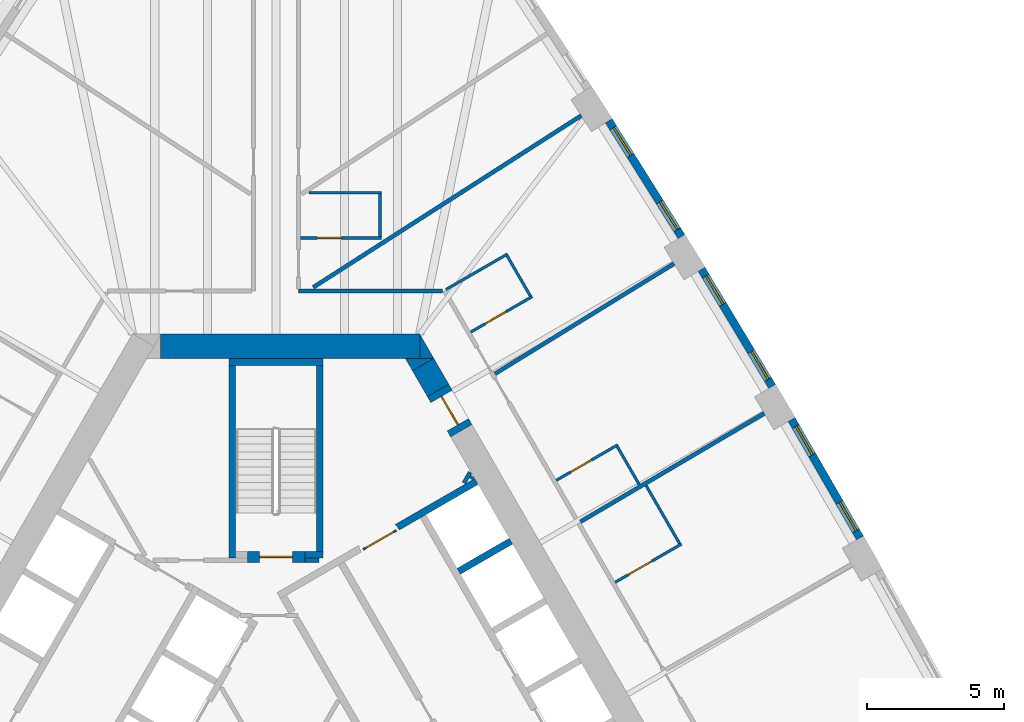
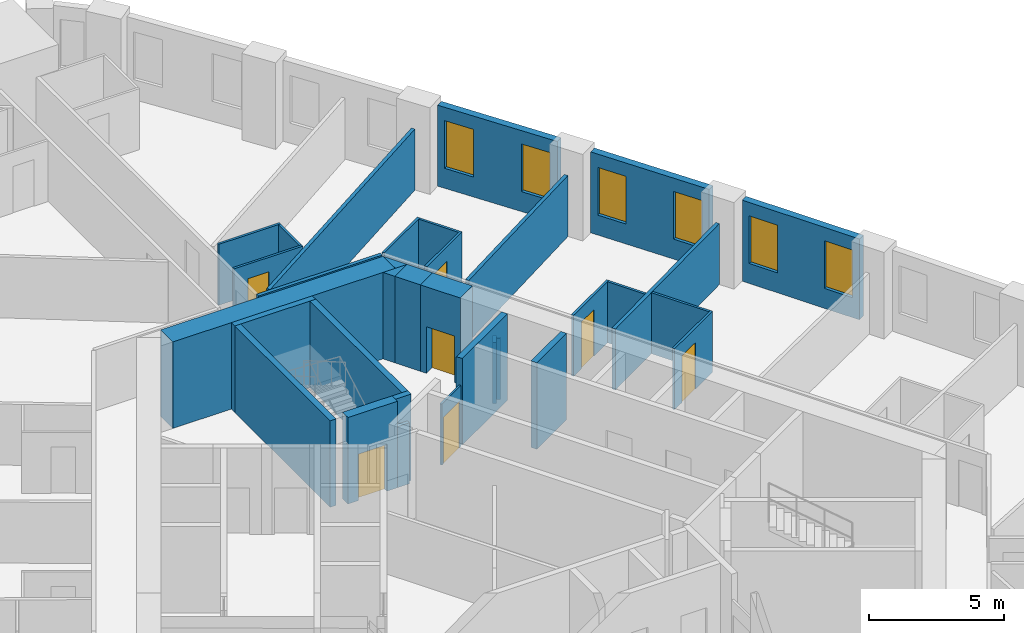
# One storey, part 10 of 12: 33 walls, 7 doors, 6 windows, 13 openings.
"""IFC4 building model written with IfcOpenShell, lengths in metres."""

from ifc_helpers import new_model, si_unit, direction, frame, frame_2d, origin, place, context, subcontext, project, spatial, polyline, rectangle, outline, extrude, material, layer, layer_set, type_object, element, fill, save


model = new_model("IFC4")

# Units and contexts
model_context = context("Model", 3, precision=1e-05, world=origin(), true_north=direction((0.0, 1.0)))
body_context = subcontext(model_context, "Body", "Model", "MODEL_VIEW")
ifc_project = project(units=[si_unit("LENGTHUNIT", "METRE"), si_unit("AREAUNIT", "SQUARE_METRE"), si_unit("VOLUMEUNIT", "CUBIC_METRE"), si_unit("PLANEANGLEUNIT", "RADIAN"), si_unit("MASSUNIT", "GRAM", prefix="KILO")], contexts=[model_context])

# Site, building, storey
site_placement = place(None, origin())
site = spatial("IfcSite", under=ifc_project, at=site_placement, CompositionType="ELEMENT")
building_placement = place(site_placement, origin())
building = spatial("IfcBuilding", under=site, at=building_placement, Name="Mestral Congress Tower", CompositionType="ELEMENT")
storey_placement = place(building_placement, frame((0.0, 0.0, 47.10009765625)))
storey = spatial("IfcBuildingStorey", under=building, at=storey_placement, Name="L10", CompositionType="ELEMENT", Elevation=47.10009765625)

# Walls
ifc_material_1 = material(Name="Fire-rated board partition")
ifc_layer_1 = layer(ifc_material_1, 0.14990234375)
ifc_layer_set_1 = layer_set([ifc_layer_1], Name="Fire-rated board partition")
wall_type_1 = type_object("IfcWallType", Name="Core partition 150", PredefinedType="PARTITIONING", material=ifc_layer_set_1)
wall_1_placement = place(storey_placement, frame((1.050048828125, 8.62548828125, 0.0), z_axis=(0.0, 0.0, 1.0), x_axis=(1.0, 0.0, 0.0)))
element("IfcWall", 1, at=wall_1_placement, inside=storey, type_object=wall_type_1, Name="L10 core wall", PredefinedType="PARTITIONING", context=body_context, shape_type="SweptSolid", body=[
    extrude(rectangle(XDim=0.513916015625, YDim=0.14990234375, at=frame_2d((0.2568359375, 0.0))), origin(), (0.0, 0.0, 1.0), 2.75),
])
wall_2_placement = place(storey_placement, frame((6.87158203125, 11.44970703125, 0.0), z_axis=(0.0, 0.0, 1.0), x_axis=(0.499846793097, 0.866113839764, 0.0)))
element("IfcWall", 2, at=wall_2_placement, inside=storey, type_object=wall_type_1, Name="L10 core wall", PredefinedType="PARTITIONING", context=body_context, shape_type="SweptSolid", body=[
    extrude(rectangle(XDim=0.453369140625, YDim=0.14990234375, at=frame_2d((0.2265625, 0.0))), origin(), (0.0, 0.0, 1.0), 2.75),
])
wall_3_placement = place(storey_placement, frame((7.13134765625, 11.599609375, 0.0), z_axis=(0.0, 0.0, 1.0), x_axis=(0.498600033135, 0.866832167699, 0.0)))
element("IfcWall", 3, at=wall_3_placement, inside=storey, type_object=wall_type_1, Name="L10 core wall", PredefinedType="PARTITIONING", context=body_context, shape_type="SweptSolid", body=[
    extrude(rectangle(XDim=0.106689453125, YDim=0.14990234375, at=frame_2d((0.05322265625, 0.0))), origin(), (0.0, 0.0, 1.0), 2.75),
])

# Wall, opening, door
ifc_layer_2 = layer(ifc_material_1, 0.090087890625)
ifc_layer_set_2 = layer_set([ifc_layer_2], Name="Fire-rated board partition")
wall_type_2 = type_object("IfcWallType", Name="Core partition 150 door-wall 90", PredefinedType="PARTITIONING", material=ifc_layer_set_2)
wall_4_placement = place(storey_placement, frame((3.182861328125, 9.02001953125, 0.0), z_axis=(0.0, 0.0, 1.0), x_axis=(0.866034573852, 0.49998411664, 0.0)))
wall_4 = element("IfcWall", 4, at=wall_4_placement, inside=storey, type_object=wall_type_2, Name="L10 door wall", PredefinedType="PARTITIONING", context=body_context, shape_type="SweptSolid", body=[
    extrude(rectangle(XDim=1.39990234375, YDim=0.090087890625, at=frame_2d((0.699951171875, 0.0))), origin(), (0.0, 0.0, 1.0), 2.75),
])
opening_1_placement = place(wall_4_placement, frame((0.10009765625, 0.0, 0.0)))
opening_1 = element("IfcOpeningElement", 5, at=opening_1_placement, cuts=wall_4, Name="Opening LB1-WL2", PredefinedType="OPENING", context=body_context, shape_type="SweptSolid", body=[
    extrude(rectangle(XDim=1.199951171875, YDim=2.10009765625, at=frame_2d((0.60009765625, 1.050048828125))), frame((0.0, 0.054931640625, 0.0), z_axis=(0.0, -1.0, 0.0), x_axis=(1.0, 0.0, 0.0)), (0.0, 0.0, 1.0), 0.110107421875),
])
ifc_material_2 = material(Name="Fire-rated steel door set", Category="steel")
door_type_1 = type_object("IfcDoorType", Name="Core door LB 1200x2100", OperationType="SINGLE_SWING_LEFT", PredefinedType="DOOR", material=ifc_material_2)
door_1_placement = place(opening_1_placement, origin())
door_1 = element("IfcDoor", 6, at=door_1_placement, inside=storey, type_object=door_type_1, Name="Door LB1-WL2", OperationType="SINGLE_SWING_LEFT", OverallHeight=2.10009765625, OverallWidth=1.199951171875, PredefinedType="DOOR", context=body_context, shape_type="SweptSolid", body=[
    extrude(rectangle(XDim=1.199951171875, YDim=2.10009765625, at=frame_2d((0.60009765625, 1.050048828125))), frame((0.0, 0.02490234375, 0.0), z_axis=(0.0, -1.0, 0.0), x_axis=(1.0, 0.0, 0.0)), (0.0, 0.0, 1.0), 0.050048828125),
])
fill(opening_1, door_1)

# Walls
ifc_material_3 = material(Name="Concrete C60/75", Category="concrete")
ifc_layer_3 = layer(ifc_material_3, 0.89990234375)
ifc_layer_set_3 = layer_set([ifc_layer_3], Name="Concrete C60/75")
wall_type_3 = type_object("IfcWallType", Name="Core wall RC 900", PredefinedType="SOLIDWALL", material=ifc_layer_set_3)
wall_5_placement = place(storey_placement, frame((-4.224365234375, 16.449951171875, 0.0), z_axis=(0.0, 0.0, 1.0), x_axis=(1.0, 0.0, 0.0)))
element("IfcWall", 7, at=wall_5_placement, inside=storey, type_object=wall_type_3, Name="L10 core wall", PredefinedType="SOLIDWALL", context=body_context, shape_type="SweptSolid", body=[
    extrude(rectangle(XDim=9.48779296875, YDim=0.89990234375, at=frame_2d((4.743896484375, 0.0))), origin(), (0.0, 0.0, 1.0), 3.89990234375),
])
placement = place(storey_placement, origin())
element("IfcWall", 8, at=placement, inside=storey, type_object=wall_type_3, Name="L10 core wall", PredefinedType="SOLIDWALL", context=body_context, shape_type="SweptSolid", body=[
    extrude(outline(polyline([(5.265380859375, 16.0), (5.265380859375, 16.8798828125), (5.7734375, 16.0), (5.265380859375, 16.0)])), origin(), (0.0, 0.0, 1.0), 3.89990234375),
])
wall_7_placement = place(storey_placement, frame((5.92578125, 14.836181640625, 0.0), z_axis=(0.0, 0.0, 1.0), x_axis=(-0.500076735116, 0.865981096212, 0.0)))
element("IfcWall", 9, at=wall_7_placement, inside=storey, type_object=wall_type_3, Name="L10 core wall", PredefinedType="SOLIDWALL", context=body_context, shape_type="SweptSolid", body=[
    extrude(rectangle(XDim=1.093505859375, YDim=0.89990234375, at=frame_2d((0.546875, 0.0))), origin(), (0.0, 0.0, 1.0), 3.89990234375),
])
element("IfcWall", 10, at=placement, inside=storey, type_object=wall_type_3, Name="L10 core wall", PredefinedType="SOLIDWALL", context=body_context, shape_type="SweptSolid", body=[
    extrude(outline(polyline([(4.734375, 16.0), (5.750244140625, 16.0), (4.98828125, 15.56005859375), (4.734375, 16.0)])), origin(), (0.0, 0.0, 1.0), 3.89990234375),
])

# Wall, opening, door
wall_9_placement = place(storey_placement, frame((5.92578125, 14.836181640625, 0.0), z_axis=(0.0, 0.0, 1.0), x_axis=(0.500062241894, -0.865989465428, 0.0)))
wall_9 = element("IfcWall", 11, at=wall_9_placement, inside=storey, type_object=wall_type_3, Name="L10 door wall", PredefinedType="SOLIDWALL", context=body_context, shape_type="SweptSolid", body=[
    extrude(rectangle(XDim=1.699951171875, YDim=0.89990234375, at=frame_2d((0.85009765625, 0.0))), origin(), (0.0, 0.0, 1.0), 3.89990234375),
])
opening_2_placement = place(wall_9_placement, frame((0.25, 0.0, 0.0)))
opening_2 = element("IfcOpeningElement", 12, at=opening_2_placement, cuts=wall_9, Name="Opening XD2", PredefinedType="OPENING", context=body_context, shape_type="SweptSolid", body=[
    extrude(rectangle(XDim=1.199951171875, YDim=2.10009765625, at=frame_2d((0.60009765625, 1.050048828125))), frame((0.0, 0.4599609375, 0.0), z_axis=(0.0, -1.0, 0.0), x_axis=(1.0, 0.0, 0.0)), (0.0, 0.0, 1.0), 0.919921875),
])
door_type_2 = type_object("IfcDoorType", Name="Core door XD 1200x2100", OperationType="SINGLE_SWING_LEFT", PredefinedType="DOOR", material=ifc_material_2)
door_2_placement = place(opening_2_placement, origin())
door_2 = element("IfcDoor", 13, at=door_2_placement, inside=storey, type_object=door_type_2, Name="Door XD2", OperationType="SINGLE_SWING_LEFT", OverallHeight=2.10009765625, OverallWidth=1.199951171875, PredefinedType="DOOR", context=body_context, shape_type="SweptSolid", body=[
    extrude(rectangle(XDim=1.199951171875, YDim=2.10009765625, at=frame_2d((0.60009765625, 1.050048828125))), frame((0.0, 0.02490234375, 0.0), z_axis=(0.0, -1.0, 0.0), x_axis=(1.0, 0.0, 0.0)), (0.0, 0.0, 1.0), 0.050048828125),
])
fill(opening_2, door_2)

# Wall, openings, windows
ifc_material_4 = material(Name="Precast concrete C40/50 with limestone facing", Category="masonry")
ifc_layer_4 = layer(ifc_material_4, 0.2900390625)
ifc_layer_set_4 = layer_set([ifc_layer_4], Name="Precast concrete C40/50 with limestone facing")
wall_type_4 = type_object("IfcWallType", Name="Facade stone wall 290", PredefinedType="SOLIDWALL", material=ifc_layer_set_4)
wall_10_placement = place(storey_placement, frame((21.357177734375, 9.44482421875, 0.0), z_axis=(0.0, 0.0, 1.0), x_axis=(-0.50002123722, 0.866013142123, 0.0)))
wall_10 = element("IfcWall", 14, at=wall_10_placement, inside=storey, type_object=wall_type_4, Name="Facade wall F1-04", PredefinedType="SOLIDWALL", context=body_context, shape_type="SweptSolid", body=[
    extrude(rectangle(XDim=4.998291015625, YDim=0.2900390625, at=frame_2d((2.4990234375, 0.0))), origin(), (0.0, 0.0, 1.0), 3.64990234375),
])
opening_3_placement = place(wall_10_placement, frame((0.297119140625, 0.0, 0.89990234375)))
opening_3 = element("IfcOpeningElement", 15, at=opening_3_placement, cuts=wall_10, Name="Opening W1", PredefinedType="OPENING", context=body_context, shape_type="SweptSolid", body=[
    extrude(rectangle(XDim=1.199951171875, YDim=2.14990234375, at=frame_2d((0.60009765625, 1.074951171875))), frame((0.0, 0.155029296875, 0.0), z_axis=(0.0, -1.0, 0.0), x_axis=(1.0, 0.0, 0.0)), (0.0, 0.0, 1.0), 0.31005859375),
])
opening_4_placement = place(wall_10_placement, frame((3.501220703125, 0.0, 0.89990234375)))
opening_4 = element("IfcOpeningElement", 16, at=opening_4_placement, cuts=wall_10, Name="Opening W1", PredefinedType="OPENING", context=body_context, shape_type="SweptSolid", body=[
    extrude(rectangle(XDim=1.199951171875, YDim=2.14990234375, at=frame_2d((0.60009765625, 1.074951171875))), frame((0.0, 0.155029296875, 0.0), z_axis=(0.0, -1.0, 0.0), x_axis=(1.0, 0.0, 0.0)), (0.0, 0.0, 1.0), 0.31005859375),
])
ifc_material_5 = material(Name="Clear low-emissivity double glazing", Category="glass")
window_type = type_object("IfcWindowType", Name="Facade punched window 1200 x 2150 sill 900", PartitioningType="DOUBLE_PANEL_VERTICAL", PredefinedType="WINDOW", material=ifc_material_5)
window_1_placement = place(opening_3_placement, origin())
window_1 = element("IfcWindow", 17, at=window_1_placement, inside=storey, type_object=window_type, Name="Window F1-04a", OverallHeight=2.14990234375, OverallWidth=1.199951171875, PartitioningType="DOUBLE_PANEL_VERTICAL", PredefinedType="WINDOW", context=body_context, shape_type="SweptSolid", body=[
    extrude(rectangle(XDim=1.199951171875, YDim=2.14990234375, at=frame_2d((0.60009765625, 1.074951171875))), frame((0.0, 0.01513671875, 0.0), z_axis=(0.0, -1.0, 0.0), x_axis=(1.0, 0.0, 0.0)), (0.0, 0.0, 1.0), 0.06005859375),
])
fill(opening_3, window_1)
window_2_placement = place(opening_4_placement, origin())
window_2 = element("IfcWindow", 18, at=window_2_placement, inside=storey, type_object=window_type, Name="Window F1-04b", OverallHeight=2.14990234375, OverallWidth=1.199951171875, PartitioningType="DOUBLE_PANEL_VERTICAL", PredefinedType="WINDOW", context=body_context, shape_type="SweptSolid", body=[
    extrude(rectangle(XDim=1.199951171875, YDim=2.14990234375, at=frame_2d((0.60009765625, 1.074951171875))), frame((0.0, 0.01513671875, 0.0), z_axis=(0.0, -1.0, 0.0), x_axis=(1.0, 0.0, 0.0)), (0.0, 0.0, 1.0), 0.06005859375),
])
fill(opening_4, window_2)

wall_11_placement = place(storey_placement, frame((18.143310546875, 14.985595703125, 0.0), z_axis=(0.0, 0.0, 1.0), x_axis=(-0.515938796285, 0.856625448191, 0.0)))
wall_11 = element("IfcWall", 19, at=wall_11_placement, inside=storey, type_object=wall_type_4, Name="Facade wall F1-05", PredefinedType="SOLIDWALL", context=body_context, shape_type="SweptSolid", body=[
    extrude(rectangle(XDim=4.998291015625, YDim=0.2900390625, at=frame_2d((2.4990234375, 0.0))), origin(), (0.0, 0.0, 1.0), 3.64990234375),
])
opening_5_placement = place(wall_11_placement, frame((0.297119140625, 0.0, 0.89990234375)))
opening_5 = element("IfcOpeningElement", 20, at=opening_5_placement, cuts=wall_11, Name="Opening W1", PredefinedType="OPENING", context=body_context, shape_type="SweptSolid", body=[
    extrude(rectangle(XDim=1.199951171875, YDim=2.14990234375, at=frame_2d((0.60009765625, 1.074951171875))), frame((0.0, 0.155029296875, 0.0), z_axis=(0.0, -1.0, 0.0), x_axis=(1.0, 0.0, 0.0)), (0.0, 0.0, 1.0), 0.31005859375),
])
opening_6_placement = place(wall_11_placement, frame((3.501220703125, 0.0, 0.89990234375)))
opening_6 = element("IfcOpeningElement", 21, at=opening_6_placement, cuts=wall_11, Name="Opening W1", PredefinedType="OPENING", context=body_context, shape_type="SweptSolid", body=[
    extrude(rectangle(XDim=1.199951171875, YDim=2.14990234375, at=frame_2d((0.60009765625, 1.074951171875))), frame((0.0, 0.155029296875, 0.0), z_axis=(0.0, -1.0, 0.0), x_axis=(1.0, 0.0, 0.0)), (0.0, 0.0, 1.0), 0.31005859375),
])
window_3_placement = place(opening_5_placement, origin())
window_3 = element("IfcWindow", 22, at=window_3_placement, inside=storey, type_object=window_type, Name="Window F1-05a", OverallHeight=2.14990234375, OverallWidth=1.199951171875, PartitioningType="DOUBLE_PANEL_VERTICAL", PredefinedType="WINDOW", context=body_context, shape_type="SweptSolid", body=[
    extrude(rectangle(XDim=1.199951171875, YDim=2.14990234375, at=frame_2d((0.60009765625, 1.074951171875))), frame((0.0, 0.01513671875, 0.0), z_axis=(0.0, -1.0, 0.0), x_axis=(1.0, 0.0, 0.0)), (0.0, 0.0, 1.0), 0.06005859375),
])
fill(opening_5, window_3)
window_4_placement = place(opening_6_placement, origin())
window_4 = element("IfcWindow", 23, at=window_4_placement, inside=storey, type_object=window_type, Name="Window F1-05b", OverallHeight=2.14990234375, OverallWidth=1.199951171875, PartitioningType="DOUBLE_PANEL_VERTICAL", PredefinedType="WINDOW", context=body_context, shape_type="SweptSolid", body=[
    extrude(rectangle(XDim=1.199951171875, YDim=2.14990234375, at=frame_2d((0.60009765625, 1.074951171875))), frame((0.0, 0.01513671875, 0.0), z_axis=(0.0, -1.0, 0.0), x_axis=(1.0, 0.0, 0.0)), (0.0, 0.0, 1.0), 0.06005859375),
])
fill(opening_6, window_4)

wall_12_placement = place(storey_placement, frame((14.827392578125, 20.466064453125, 0.0), z_axis=(0.0, 0.0, 1.0), x_axis=(-0.531688286542, 0.846940119462, 0.0)))
wall_12 = element("IfcWall", 24, at=wall_12_placement, inside=storey, type_object=wall_type_4, Name="Facade wall F1-06", PredefinedType="SOLIDWALL", context=body_context, shape_type="SweptSolid", body=[
    extrude(rectangle(XDim=4.998291015625, YDim=0.2900390625, at=frame_2d((2.4990234375, 0.0))), origin(), (0.0, 0.0, 1.0), 3.64990234375),
])
opening_7_placement = place(wall_12_placement, frame((0.297119140625, 0.0, 0.89990234375)))
opening_7 = element("IfcOpeningElement", 25, at=opening_7_placement, cuts=wall_12, Name="Opening W1", PredefinedType="OPENING", context=body_context, shape_type="SweptSolid", body=[
    extrude(rectangle(XDim=1.199951171875, YDim=2.14990234375, at=frame_2d((0.60009765625, 1.074951171875))), frame((0.0, 0.155029296875, 0.0), z_axis=(0.0, -1.0, 0.0), x_axis=(1.0, 0.0, 0.0)), (0.0, 0.0, 1.0), 0.31005859375),
])
opening_8_placement = place(wall_12_placement, frame((3.501220703125, 0.0, 0.89990234375)))
opening_8 = element("IfcOpeningElement", 26, at=opening_8_placement, cuts=wall_12, Name="Opening W1", PredefinedType="OPENING", context=body_context, shape_type="SweptSolid", body=[
    extrude(rectangle(XDim=1.199951171875, YDim=2.14990234375, at=frame_2d((0.60009765625, 1.074951171875))), frame((0.0, 0.155029296875, 0.0), z_axis=(0.0, -1.0, 0.0), x_axis=(1.0, 0.0, 0.0)), (0.0, 0.0, 1.0), 0.31005859375),
])
window_5_placement = place(opening_7_placement, origin())
window_5 = element("IfcWindow", 27, at=window_5_placement, inside=storey, type_object=window_type, Name="Window F1-06a", OverallHeight=2.14990234375, OverallWidth=1.199951171875, PartitioningType="DOUBLE_PANEL_VERTICAL", PredefinedType="WINDOW", context=body_context, shape_type="SweptSolid", body=[
    extrude(rectangle(XDim=1.199951171875, YDim=2.14990234375, at=frame_2d((0.60009765625, 1.074951171875))), frame((0.0, 0.01513671875, 0.0), z_axis=(0.0, -1.0, 0.0), x_axis=(1.0, 0.0, 0.0)), (0.0, 0.0, 1.0), 0.06005859375),
])
fill(opening_7, window_5)
window_6_placement = place(opening_8_placement, origin())
window_6 = element("IfcWindow", 28, at=window_6_placement, inside=storey, type_object=window_type, Name="Window F1-06b", OverallHeight=2.14990234375, OverallWidth=1.199951171875, PartitioningType="DOUBLE_PANEL_VERTICAL", PredefinedType="WINDOW", context=body_context, shape_type="SweptSolid", body=[
    extrude(rectangle(XDim=1.199951171875, YDim=2.14990234375, at=frame_2d((0.60009765625, 1.074951171875))), frame((0.0, 0.01513671875, 0.0), z_axis=(0.0, -1.0, 0.0), x_axis=(1.0, 0.0, 0.0)), (0.0, 0.0, 1.0), 0.06005859375),
])
fill(opening_8, window_6)

# Wall, opening, door
ifc_material_6 = material(Name="Gypsum board partition on metal studs with mineral wool", Category="composite")
ifc_layer_5 = layer(ifc_material_6, 0.10009765625)
ifc_layer_set_5 = layer_set([ifc_layer_5], Name="Gypsum board partition on metal studs with mineral wool")
wall_type_5 = type_object("IfcWallType", Name="Hotel partition wall 100", PredefinedType="PARTITIONING", material=ifc_layer_set_5)
wall_13_placement = place(storey_placement, frame((12.402099609375, 7.819091796875, 0.0), z_axis=(0.0, 0.0, 1.0), x_axis=(0.866034573852, 0.49998411664, 0.0)))
wall_13 = element("IfcWall", 29, at=wall_13_placement, inside=storey, type_object=wall_type_5, Name="L10-h-pod14a", PredefinedType="PARTITIONING", context=body_context, shape_type="SweptSolid", body=[
    extrude(rectangle(XDim=2.7998046875, YDim=0.10009765625, at=frame_2d((1.39990234375, 0.0))), origin(), (0.0, 0.0, 1.0), 2.75),
])
opening_9_placement = place(wall_13_placement, frame((0.550048828125, 0.0, 0.0)))
opening_9 = element("IfcOpeningElement", 30, at=opening_9_placement, cuts=wall_13, Name="Opening H02-021", PredefinedType="OPENING", context=body_context, shape_type="SweptSolid", body=[
    extrude(rectangle(XDim=1.0, YDim=2.10009765625, at=frame_2d((0.5, 1.050048828125))), frame((0.0, 0.06005859375, 0.0), z_axis=(0.0, -1.0, 0.0), x_axis=(1.0, 0.0, 0.0)), (0.0, 0.0, 1.0), 0.1201171875),
])
ifc_material_7 = material(Name="Timber veneer door leaf in timber frame", Category="wood")
door_type_3 = type_object("IfcDoorType", Name="Accessible bathroom door 1000", OperationType="SINGLE_SWING_LEFT", PredefinedType="DOOR", material=ifc_material_7)
door_3_placement = place(opening_9_placement, origin())
door_3 = element("IfcDoor", 31, at=door_3_placement, inside=storey, type_object=door_type_3, Name="L10-h-d021", OperationType="SINGLE_SWING_LEFT", OverallHeight=2.10009765625, OverallWidth=1.0, PredefinedType="DOOR", context=body_context, shape_type="SweptSolid", body=[
    extrude(rectangle(XDim=1.0, YDim=2.10009765625, at=frame_2d((0.5, 1.050048828125))), frame((0.0, 0.02490234375, 0.0), z_axis=(0.0, -1.0, 0.0), x_axis=(1.0, 0.0, 0.0)), (0.0, 0.0, 1.0), 0.050048828125),
])
fill(opening_9, door_3)

# Wall
wall_14_placement = place(storey_placement, frame((14.758544921875, 9.2373046875, 0.0), z_axis=(0.0, 0.0, 1.0), x_axis=(-0.499943856944, 0.866057815567, 0.0)))
element("IfcWall", 32, at=wall_14_placement, inside=storey, type_object=wall_type_5, Name="L10-h-pod14b", PredefinedType="PARTITIONING", context=body_context, shape_type="SweptSolid", body=[
    extrude(rectangle(XDim=2.449951171875, YDim=0.10009765625, at=frame_2d((1.22509765625, 0.0))), origin(), (0.0, 0.0, 1.0), 2.75),
])

# Wall, opening, door
wall_15_placement = place(storey_placement, frame((12.500244140625, 12.84912109375, 0.0), z_axis=(0.0, 0.0, 1.0), x_axis=(-0.866021400173, -0.500006934395, 0.0)))
wall_15 = element("IfcWall", 33, at=wall_15_placement, inside=storey, type_object=wall_type_5, Name="L10-h-pod15a", PredefinedType="PARTITIONING", context=body_context, shape_type="SweptSolid", body=[
    extrude(rectangle(XDim=2.60009765625, YDim=0.10009765625, at=frame_2d((1.300048828125, 0.0))), origin(), (0.0, 0.0, 1.0), 2.75),
])
opening_10_placement = place(wall_15_placement, frame((1.10009765625, 0.0, 0.0)))
opening_10 = element("IfcOpeningElement", 34, at=opening_10_placement, cuts=wall_15, Name="Opening H02-023", PredefinedType="OPENING", context=body_context, shape_type="SweptSolid", body=[
    extrude(rectangle(XDim=0.89990234375, YDim=2.10009765625, at=frame_2d((0.449951171875, 1.050048828125))), frame((0.0, 0.06005859375, 0.0), z_axis=(0.0, -1.0, 0.0), x_axis=(1.0, 0.0, 0.0)), (0.0, 0.0, 1.0), 0.1201171875),
])
door_type_4 = type_object("IfcDoorType", Name="Bathroom door 900", OperationType="SINGLE_SWING_LEFT", PredefinedType="DOOR", material=ifc_material_7)
door_4_placement = place(opening_10_placement, origin())
door_4 = element("IfcDoor", 35, at=door_4_placement, inside=storey, type_object=door_type_4, Name="L10-h-d023", OperationType="SINGLE_SWING_RIGHT", OverallHeight=2.10009765625, OverallWidth=0.89990234375, PredefinedType="DOOR", context=body_context, shape_type="SweptSolid", body=[
    extrude(rectangle(XDim=0.89990234375, YDim=2.10009765625, at=frame_2d((0.449951171875, 1.050048828125))), frame((0.0, 0.02490234375, 0.0), z_axis=(0.0, -1.0, 0.0), x_axis=(1.0, 0.0, 0.0)), (0.0, 0.0, 1.0), 0.050048828125),
])
fill(opening_10, door_4)

# Wall
wall_16_placement = place(storey_placement, frame((12.48193359375, 12.78076171875, 0.0), z_axis=(0.0, 0.0, 1.0), x_axis=(0.500061482766, -0.865989903783, 0.0)))
element("IfcWall", 36, at=wall_16_placement, inside=storey, type_object=wall_type_5, Name="L10-h-pod15b", PredefinedType="PARTITIONING", context=body_context, shape_type="SweptSolid", body=[
    extrude(rectangle(XDim=1.599853515625, YDim=0.10009765625, at=frame_2d((0.7998046875, 0.0))), origin(), (0.0, 0.0, 1.0), 2.75),
])

# Wall, opening, door
wall_17_placement = place(storey_placement, frame((7.1181640625, 16.970947265625, 0.0), z_axis=(0.0, 0.0, 1.0), x_axis=(0.866021400173, 0.500006934395, 0.0)))
wall_17 = element("IfcWall", 37, at=wall_17_placement, inside=storey, type_object=wall_type_5, Name="L10-h-pod16a", PredefinedType="PARTITIONING", context=body_context, shape_type="SweptSolid", body=[
    extrude(rectangle(XDim=2.60009765625, YDim=0.10009765625, at=frame_2d((1.300048828125, 0.0))), origin(), (0.0, 0.0, 1.0), 2.75),
])
opening_11_placement = place(wall_17_placement, frame((0.60009765625, 0.0, 0.0)))
opening_11 = element("IfcOpeningElement", 38, at=opening_11_placement, cuts=wall_17, Name="Opening H02-025", PredefinedType="OPENING", context=body_context, shape_type="SweptSolid", body=[
    extrude(rectangle(XDim=0.89990234375, YDim=2.10009765625, at=frame_2d((0.449951171875, 1.050048828125))), frame((0.0, 0.06005859375, 0.0), z_axis=(0.0, -1.0, 0.0), x_axis=(1.0, 0.0, 0.0)), (0.0, 0.0, 1.0), 0.1201171875),
])
door_5_placement = place(opening_11_placement, origin())
door_5 = element("IfcDoor", 39, at=door_5_placement, inside=storey, type_object=door_type_4, Name="L10-h-d025", OperationType="SINGLE_SWING_LEFT", OverallHeight=2.10009765625, OverallWidth=0.89990234375, PredefinedType="DOOR", context=body_context, shape_type="SweptSolid", body=[
    extrude(rectangle(XDim=0.89990234375, YDim=2.10009765625, at=frame_2d((0.449951171875, 1.050048828125))), frame((0.0, 0.02490234375, 0.0), z_axis=(0.0, -1.0, 0.0), x_axis=(1.0, 0.0, 0.0)), (0.0, 0.0, 1.0), 0.050048828125),
])
fill(opening_11, door_5)

# Walls
wall_18_placement = place(storey_placement, frame((9.301513671875, 18.289306640625, 0.0), z_axis=(0.0, 0.0, 1.0), x_axis=(-0.500062241894, 0.865989465428, 0.0)))
element("IfcWall", 40, at=wall_18_placement, inside=storey, type_object=wall_type_5, Name="L10-h-pod16b", PredefinedType="PARTITIONING", context=body_context, shape_type="SweptSolid", body=[
    extrude(rectangle(XDim=1.699951171875, YDim=0.10009765625, at=frame_2d((0.85009765625, 0.0))), origin(), (0.0, 0.0, 1.0), 2.75),
])
wall_19_placement = place(storey_placement, frame((6.21826171875, 18.52978515625, 0.0), z_axis=(0.0, 0.0, 1.0), x_axis=(0.865997922154, 0.500047596559, 0.0)))
element("IfcWall", 41, at=wall_19_placement, inside=storey, type_object=wall_type_5, Name="L10-h-pod16c", PredefinedType="PARTITIONING", context=body_context, shape_type="SweptSolid", body=[
    extrude(rectangle(XDim=2.599853515625, YDim=0.10009765625, at=frame_2d((1.2998046875, 0.0))), origin(), (0.0, 0.0, 1.0), 2.75),
])

# Wall, opening, door
wall_20_placement = place(storey_placement, frame((0.89990234375, 20.41552734375, 0.0), z_axis=(0.0, 0.0, 1.0), x_axis=(1.0, 0.0, 0.0)))
wall_20 = element("IfcWall", 42, at=wall_20_placement, inside=storey, type_object=wall_type_5, Name="L10-h-pod17a", PredefinedType="PARTITIONING", context=body_context, shape_type="SweptSolid", body=[
    extrude(rectangle(XDim=2.9501953125, YDim=0.10009765625, at=frame_2d((1.47509765625, 0.0))), origin(), (0.0, 0.0, 1.0), 2.75),
])
opening_12_placement = place(wall_20_placement, frame((0.60009765625, 0.0, 0.0)))
opening_12 = element("IfcOpeningElement", 43, at=opening_12_placement, cuts=wall_20, Name="Opening H02-027", PredefinedType="OPENING", context=body_context, shape_type="SweptSolid", body=[
    extrude(rectangle(XDim=0.89990234375, YDim=2.10009765625, at=frame_2d((0.449951171875, 1.050048828125))), frame((0.0, 0.06005859375, 0.0), z_axis=(0.0, -1.0, 0.0), x_axis=(1.0, 0.0, 0.0)), (0.0, 0.0, 1.0), 0.1201171875),
])
door_6_placement = place(opening_12_placement, origin())
door_6 = element("IfcDoor", 44, at=door_6_placement, inside=storey, type_object=door_type_4, Name="L10-h-d027", OperationType="SINGLE_SWING_LEFT", OverallHeight=2.10009765625, OverallWidth=0.89990234375, PredefinedType="DOOR", context=body_context, shape_type="SweptSolid", body=[
    extrude(rectangle(XDim=0.89990234375, YDim=2.10009765625, at=frame_2d((0.449951171875, 1.050048828125))), frame((0.0, 0.02490234375, 0.0), z_axis=(0.0, -1.0, 0.0), x_axis=(1.0, 0.0, 0.0)), (0.0, 0.0, 1.0), 0.050048828125),
])
fill(opening_12, door_6)

# Walls
wall_21_placement = place(storey_placement, frame((3.800048828125, 20.465576171875, 0.0), z_axis=(0.0, 0.0, 1.0), x_axis=(0.0, 1.0, 0.0)))
element("IfcWall", 45, at=wall_21_placement, inside=storey, type_object=wall_type_5, Name="L10-h-pod17b", PredefinedType="PARTITIONING", context=body_context, shape_type="SweptSolid", body=[
    extrude(rectangle(XDim=1.550048828125, YDim=0.10009765625, at=frame_2d((0.77490234375, 0.0))), origin(), (0.0, 0.0, 1.0), 2.75),
])
wall_22_placement = place(storey_placement, frame((1.2099609375, 22.065673828125, 0.0), z_axis=(0.0, 0.0, 1.0), x_axis=(1.0, 0.0, 0.0)))
element("IfcWall", 46, at=wall_22_placement, inside=storey, type_object=wall_type_5, Name="L10-h-pod17c", PredefinedType="PARTITIONING", context=body_context, shape_type="SweptSolid", body=[
    extrude(rectangle(XDim=2.64013671875, YDim=0.10009765625, at=frame_2d((1.320068359375, 0.0))), origin(), (0.0, 0.0, 1.0), 2.75),
])
ifc_layer_6 = layer(ifc_material_6, 0.14990234375)
ifc_layer_set_6 = layer_set([ifc_layer_6], Name="Gypsum board partition on metal studs with mineral wool")
wall_type_6 = type_object("IfcWallType", Name="Hotel partition wall 150", PredefinedType="PARTITIONING", material=ifc_layer_set_6)
wall_23_placement = place(storey_placement, frame((0.824951171875, 18.47509765625, 0.0), z_axis=(0.0, 0.0, 1.0), x_axis=(1.0, 0.0, 0.0)))
element("IfcWall", 47, at=wall_23_placement, inside=storey, type_object=wall_type_6, Name="L10-h-cw04", PredefinedType="PARTITIONING", context=body_context, shape_type="SweptSolid", body=[
    extrude(rectangle(XDim=5.268310546875, YDim=0.14990234375, at=frame_2d((2.63427734375, 0.0))), origin(), (0.0, 0.0, 1.0), 2.75),
])
wall_24_placement = place(storey_placement, frame((11.16015625, 24.887939453125, 0.0), z_axis=(0.0, 0.0, 1.0), x_axis=(-0.84199813156, -0.539480441211, 0.0)))
element("IfcWall", 48, at=wall_24_placement, inside=storey, type_object=wall_type_6, Name="L10-h-pw16", PredefinedType="PARTITIONING", context=body_context, shape_type="SweptSolid", body=[
    extrude(rectangle(XDim=11.63818359375, YDim=0.14990234375, at=frame_2d((5.819091796875, 0.0))), origin(), (0.0, 0.0, 1.0), 2.75),
])
wall_25_placement = place(storey_placement, frame((14.55810546875, 19.474609375, 0.0), z_axis=(0.0, 0.0, 1.0), x_axis=(-0.851829455142, -0.523819223925, 0.0)))
element("IfcWall", 49, at=wall_25_placement, inside=storey, type_object=wall_type_6, Name="L10-h-pw18", PredefinedType="PARTITIONING", context=body_context, shape_type="SweptSolid", body=[
    extrude(rectangle(XDim=7.68798828125, YDim=0.14990234375, at=frame_2d((3.843994140625, 0.0))), origin(), (0.0, 0.0, 1.0), 2.75),
])
wall_26_placement = place(storey_placement, frame((17.85595703125, 13.999267578125, 0.0), z_axis=(0.0, 0.0, 1.0), x_axis=(-0.861371519381, -0.507975497047, 0.0)))
element("IfcWall", 50, at=wall_26_placement, inside=storey, type_object=wall_type_6, Name="L10-h-pw19", PredefinedType="PARTITIONING", context=body_context, shape_type="SweptSolid", body=[
    extrude(rectangle(XDim=7.8037109375, YDim=0.14990234375, at=frame_2d((3.90185546875, 0.0))), origin(), (0.0, 0.0, 1.0), 2.75),
])
ifc_layer_7 = layer(ifc_material_3, 0.25)
ifc_layer_set_7 = layer_set([ifc_layer_7], Name="Concrete C60/75")
wall_type_7 = type_object("IfcWallType", Name="Shaft wall RC 250", PredefinedType="SOLIDWALL", material=ifc_layer_set_7)
wall_27_placement = place(storey_placement, frame((6.68359375, 8.2236328125, 0.0), z_axis=(0.0, 0.0, 1.0), x_axis=(0.86605622881, 0.499946605688, 0.0)))
element("IfcWall", 51, at=wall_27_placement, inside=storey, type_object=wall_type_7, Name="L10 core wall", PredefinedType="SOLIDWALL", context=body_context, shape_type="SweptSolid", body=[
    extrude(rectangle(XDim=2.199951171875, YDim=0.25, at=frame_2d((1.10009765625, 0.0))), origin(), (0.0, 0.0, 1.0), 3.89990234375),
])
element("IfcWall", 52, at=placement, inside=storey, type_object=wall_type_7, Name="L10 core wall", PredefinedType="SOLIDWALL", context=body_context, shape_type="SweptSolid", body=[
    extrude(outline(polyline([(5.26953125, 10.172607421875), (5.26953125, 10.172607421875), (4.68310546875, 9.833984375), (4.50439453125, 9.73095703125), (4.44189453125, 9.839111328125), (4.431396484375, 9.855712890625), (4.419189453125, 9.87109375), (4.405517578125, 9.885009765625), (4.390380859375, 9.897705078125), (4.374267578125, 9.908935546875), (4.357177734375, 9.91845703125), (4.34130859375, 9.92529296875), (7.266357421875, 11.6142578125), (7.391357421875, 11.397705078125), (5.486083984375, 10.2978515625), (5.486083984375, 10.2978515625), (5.26953125, 10.1728515625), (5.26953125, 10.172607421875)])), origin(), (0.0, 0.0, 1.0), 3.89990234375),
])
ifc_layer_8 = layer(ifc_material_3, 0.25)
ifc_layer_set_8 = layer_set([ifc_layer_8], Name="Concrete C60/75")
wall_type_8 = type_object("IfcWallType", Name="Stair wall RC 250", PredefinedType="SOLIDWALL", material=ifc_layer_set_8)
wall_29_placement = place(storey_placement, frame((-1.72509765625, 15.875, 0.0), z_axis=(0.0, 0.0, 1.0), x_axis=(1.0, 0.0, 0.0)))
element("IfcWall", 53, at=wall_29_placement, inside=storey, type_object=wall_type_8, Name="L10 core wall", PredefinedType="SOLIDWALL", context=body_context, shape_type="SweptSolid", body=[
    extrude(rectangle(XDim=3.4501953125, YDim=0.25, at=frame_2d((1.72509765625, 0.0))), origin(), (0.0, 0.0, 1.0), 3.89990234375),
])
wall_30_placement = place(storey_placement, frame((1.60009765625, 8.949951171875, 0.0), z_axis=(0.0, 0.0, 1.0), x_axis=(0.0, 1.0, 0.0)))
element("IfcWall", 54, at=wall_30_placement, inside=storey, type_object=wall_type_8, Name="L10 core wall", PredefinedType="SOLIDWALL", context=body_context, shape_type="SweptSolid", body=[
    extrude(rectangle(XDim=6.800048828125, YDim=0.25, at=frame_2d((3.39990234375, 0.0))), origin(), (0.0, 0.0, 1.0), 3.89990234375),
])
wall_31_placement = place(storey_placement, frame((1.050048828125, 8.824951171875, 0.0), z_axis=(0.0, 0.0, 1.0), x_axis=(1.0, 0.0, 0.0)))
element("IfcWall", 55, at=wall_31_placement, inside=storey, type_object=wall_type_8, Name="L10 core wall", PredefinedType="SOLIDWALL", context=body_context, shape_type="SweptSolid", body=[
    extrude(rectangle(XDim=0.675048828125, YDim=0.25, at=frame_2d((0.33740234375, 0.0))), origin(), (0.0, 0.0, 1.0), 3.89990234375),
])
wall_32_placement = place(storey_placement, frame((-1.60009765625, 8.699951171875, 0.0), z_axis=(0.0, 0.0, 1.0), x_axis=(0.0, 1.0, 0.0)))
element("IfcWall", 56, at=wall_32_placement, inside=storey, type_object=wall_type_8, Name="L10 core wall", PredefinedType="SOLIDWALL", context=body_context, shape_type="SweptSolid", body=[
    extrude(rectangle(XDim=7.050048828125, YDim=0.25, at=frame_2d((3.52490234375, 0.0))), origin(), (0.0, 0.0, 1.0), 3.89990234375),
])

# Wall, opening, door
ifc_layer_9 = layer(ifc_material_3, 0.39990234375)
ifc_layer_set_9 = layer_set([ifc_layer_9], Name="Concrete C60/75")
wall_type_9 = type_object("IfcWallType", Name="Stair wall RC 250 door-wall 400", PredefinedType="SOLIDWALL", material=ifc_layer_set_9)
wall_33_placement = place(storey_placement, frame((1.050048828125, 8.75, 0.0), z_axis=(0.0, 0.0, 1.0), x_axis=(-1.0, 0.0, 0.0)))
wall_33 = element("IfcWall", 57, at=wall_33_placement, inside=storey, type_object=wall_type_9, Name="L10 door wall", PredefinedType="SOLIDWALL", context=body_context, shape_type="SweptSolid", body=[
    extrude(rectangle(XDim=2.10009765625, YDim=0.39990234375, at=frame_2d((1.050048828125, 0.0))), origin(), (0.0, 0.0, 1.0), 3.89990234375),
])
opening_13_placement = place(wall_33_placement, frame((0.449951171875, 0.0, 0.0)))
opening_13 = element("IfcOpeningElement", 58, at=opening_13_placement, cuts=wall_33, Name="Opening ST-D2", PredefinedType="OPENING", context=body_context, shape_type="SweptSolid", body=[
    extrude(rectangle(XDim=1.199951171875, YDim=2.10009765625, at=frame_2d((0.60009765625, 1.050048828125))), frame((0.0, 0.2099609375, 0.0), z_axis=(0.0, -1.0, 0.0), x_axis=(1.0, 0.0, 0.0)), (0.0, 0.0, 1.0), 0.419921875),
])
door_type_5 = type_object("IfcDoorType", Name="Core door ST 1200x2100", OperationType="SINGLE_SWING_LEFT", PredefinedType="DOOR", material=ifc_material_2)
door_7_placement = place(opening_13_placement, origin())
door_7 = element("IfcDoor", 59, at=door_7_placement, inside=storey, type_object=door_type_5, Name="Door ST-D2", OperationType="SINGLE_SWING_LEFT", OverallHeight=2.10009765625, OverallWidth=1.199951171875, PredefinedType="DOOR", context=body_context, shape_type="SweptSolid", body=[
    extrude(rectangle(XDim=1.199951171875, YDim=2.10009765625, at=frame_2d((0.60009765625, 1.050048828125))), frame((0.0, 0.02490234375, 0.0), z_axis=(0.0, -1.0, 0.0), x_axis=(1.0, 0.0, 0.0)), (0.0, 0.0, 1.0), 0.050048828125),
])
fill(opening_13, door_7)

save(model, "model.ifc")
